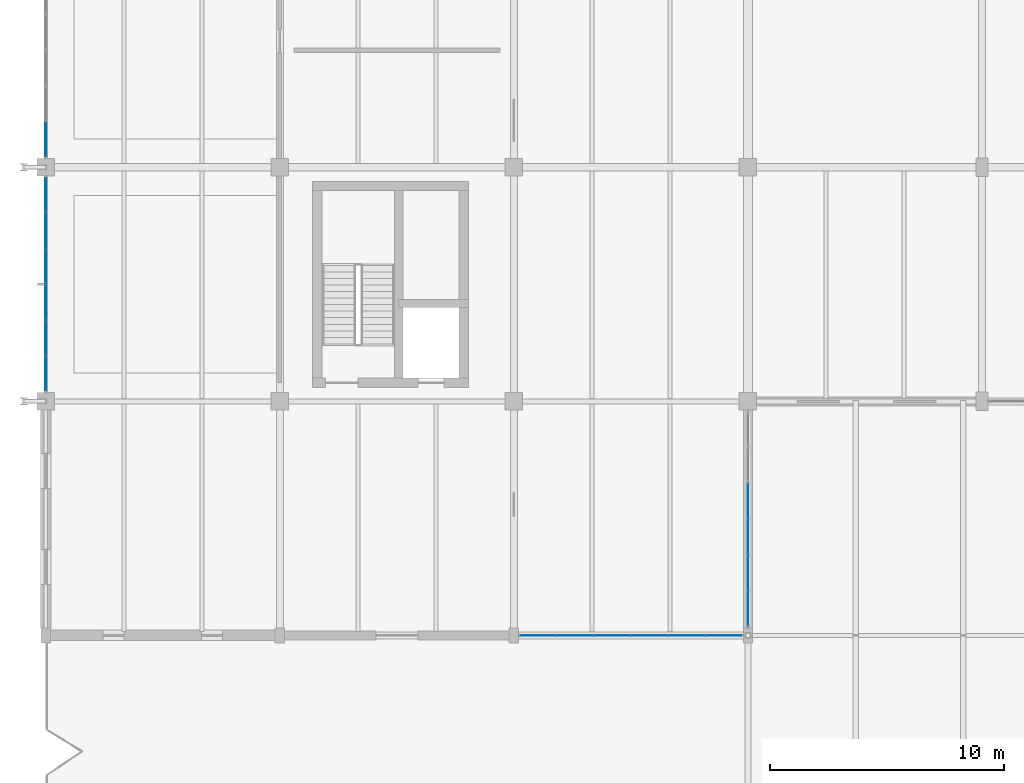
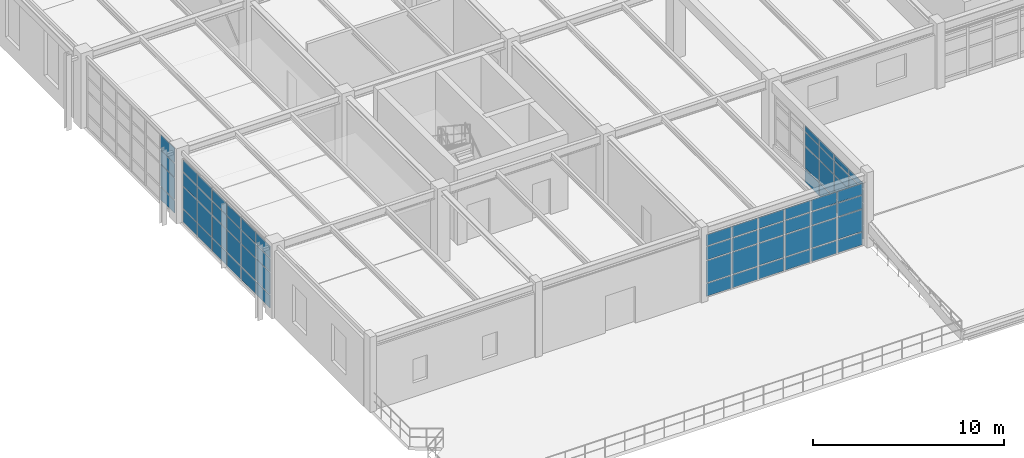
# One storey, part 82 of 139: 68 plates, 4 elements without a shape of their own.
"""IFC4 building model written with IfcOpenShell, lengths in metres."""

from ifc_helpers import new_model, si_unit, direction, frame, origin, origin_2d, place, context, subcontext, project, spatial, rectangle, extrude, material, layer, layer_set, type_object, element, aggregate, save


model = new_model("IFC4")

# Units and contexts
model_context = context("Model", 3, precision=1e-05, world=origin(), true_north=direction((0.0, 1.0)))
body_context = subcontext(model_context, "Body", "Model", "MODEL_VIEW")
ifc_project = project(units=[si_unit("LENGTHUNIT", "METRE"), si_unit("AREAUNIT", "SQUARE_METRE"), si_unit("VOLUMEUNIT", "CUBIC_METRE"), si_unit("PLANEANGLEUNIT", "RADIAN"), si_unit("MASSUNIT", "GRAM", prefix="KILO"), si_unit("THERMODYNAMICTEMPERATUREUNIT", "KELVIN"), si_unit("POWERUNIT", "WATT")], contexts=[model_context])

# Site, building, storey
site_placement = place(None, origin())
site = spatial("IfcSite", under=ifc_project, at=site_placement, CompositionType="ELEMENT")
building_placement = place(site_placement, origin())
building = spatial("IfcBuilding", under=site, at=building_placement, Name="Korenveer Ferry Terminal", CompositionType="ELEMENT")
storey_placement = place(building_placement, frame((0.0, 0.0, 5.39990234375)))
storey = spatial("IfcBuildingStorey", under=building, at=storey_placement, Name="L01", CompositionType="ELEMENT", Elevation=5.39990234375)

# Curtain wall, plates
ifc_material_1 = material(Name="Unitised bronze-and-glass curtain wall", Category="glass")
ifc_layer_1 = layer(ifc_material_1, 0.159912109375)
ifc_layer_set_1 = layer_set([ifc_layer_1], Name="Unitised bronze-and-glass curtain wall")
curtain_wall_type_1 = type_object("IfcCurtainWallType", Name="ENV-CW-37", PredefinedType="USERDEFINED", material=ifc_layer_set_1)
curtain_wall_1_placement = place(storey_placement, frame((20.22998046875, 10.0, 0.0)))
curtain_wall_1 = element("IfcCurtainWall", 1, at=curtain_wall_1_placement, inside=storey, type_object=curtain_wall_type_1, Name="Lancet curtain wall CWX-L01-X20-30-Y10-10", ObjectType="UNITISED CURTAIN WALL", PredefinedType="USERDEFINED")
ifc_material_2 = material(Name="Low-iron solar-control double glazing", Category="glass")
ifc_layer_2 = layer(ifc_material_2, 0.028076171875)
ifc_layer_set_2 = layer_set([ifc_layer_2], Name="Low-iron solar-control double glazing")
plate_type = type_object("IfcPlateType", Name="ENV-CWP-GLZ28", PredefinedType="CURTAIN_PANEL", material=ifc_layer_set_2)
plate_1_placement = place(storey_placement, frame((21.0400390625, 10.0, 0.06005859375), z_axis=(0.0, 0.0, 1.0), x_axis=(1.0, 0.0, 0.0)))
plate_1 = element("IfcPlate", 2, at=plate_1_placement, type_object=plate_type, Name="CW-37 panel 1.1", PredefinedType="CURTAIN_PANEL", context=body_context, shape_type="SweptSolid", body=[
    extrude(rectangle(XDim=1.5, YDim=0.028076171875, at=origin_2d()), origin(), (0.0, 0.0, 1.0), 0.81005859375),
])
plate_2_placement = place(storey_placement, frame((21.0400390625, 10.0, 0.93017578125), z_axis=(0.0, 0.0, 1.0), x_axis=(1.0, 0.0, 0.0)))
plate_2 = element("IfcPlate", 3, at=plate_2_placement, type_object=plate_type, Name="CW-37 panel 1.2", PredefinedType="CURTAIN_PANEL", context=body_context, shape_type="SweptSolid", body=[
    extrude(rectangle(XDim=1.5, YDim=0.028076171875, at=origin_2d()), origin(), (0.0, 0.0, 1.0), 1.389892578125),
])
plate_3_placement = place(storey_placement, frame((21.0400390625, 10.0, 2.3798828125), z_axis=(0.0, 0.0, 1.0), x_axis=(1.0, 0.0, 0.0)))
plate_3 = element("IfcPlate", 4, at=plate_3_placement, type_object=plate_type, Name="CW-37 panel 1.3", PredefinedType="CURTAIN_PANEL", context=body_context, shape_type="SweptSolid", body=[
    extrude(rectangle(XDim=1.5, YDim=0.028076171875, at=origin_2d()), origin(), (0.0, 0.0, 1.0), 0.840087890625),
])
plate_4_placement = place(storey_placement, frame((21.0400390625, 10.0, 3.280029296875), z_axis=(0.0, 0.0, 1.0), x_axis=(1.0, 0.0, 0.0)))
plate_4 = element("IfcPlate", 5, at=plate_4_placement, type_object=plate_type, Name="CW-37 panel 1.4", PredefinedType="CURTAIN_PANEL", context=body_context, shape_type="SweptSolid", body=[
    extrude(rectangle(XDim=1.5, YDim=0.028076171875, at=origin_2d()), origin(), (0.0, 0.0, 1.0), 0.7099609375),
])
plate_5_placement = place(storey_placement, frame((22.614990234375, 10.0, 0.06005859375), z_axis=(0.0, 0.0, 1.0), x_axis=(1.0, 0.0, 0.0)))
plate_5 = element("IfcPlate", 6, at=plate_5_placement, type_object=plate_type, Name="CW-37 panel 2.1", PredefinedType="CURTAIN_PANEL", context=body_context, shape_type="SweptSolid", body=[
    extrude(rectangle(XDim=1.530029296875, YDim=0.028076171875, at=origin_2d()), origin(), (0.0, 0.0, 1.0), 0.81005859375),
])
plate_6_placement = place(storey_placement, frame((22.614990234375, 10.0, 0.93017578125), z_axis=(0.0, 0.0, 1.0), x_axis=(1.0, 0.0, 0.0)))
plate_6 = element("IfcPlate", 7, at=plate_6_placement, type_object=plate_type, Name="CW-37 panel 2.2", PredefinedType="CURTAIN_PANEL", context=body_context, shape_type="SweptSolid", body=[
    extrude(rectangle(XDim=1.530029296875, YDim=0.028076171875, at=origin_2d()), origin(), (0.0, 0.0, 1.0), 1.389892578125),
])
plate_7_placement = place(storey_placement, frame((22.614990234375, 10.0, 2.3798828125), z_axis=(0.0, 0.0, 1.0), x_axis=(1.0, 0.0, 0.0)))
plate_7 = element("IfcPlate", 8, at=plate_7_placement, type_object=plate_type, Name="CW-37 panel 2.3", PredefinedType="CURTAIN_PANEL", context=body_context, shape_type="SweptSolid", body=[
    extrude(rectangle(XDim=1.530029296875, YDim=0.028076171875, at=origin_2d()), origin(), (0.0, 0.0, 1.0), 0.840087890625),
])
plate_8_placement = place(storey_placement, frame((22.614990234375, 10.0, 3.280029296875), z_axis=(0.0, 0.0, 1.0), x_axis=(1.0, 0.0, 0.0)))
plate_8 = element("IfcPlate", 9, at=plate_8_placement, type_object=plate_type, Name="CW-37 panel 2.4", PredefinedType="CURTAIN_PANEL", context=body_context, shape_type="SweptSolid", body=[
    extrude(rectangle(XDim=1.530029296875, YDim=0.028076171875, at=origin_2d()), origin(), (0.0, 0.0, 1.0), 0.7099609375),
])
plate_9_placement = place(storey_placement, frame((24.205078125, 10.0, 0.06005859375), z_axis=(0.0, 0.0, 1.0), x_axis=(1.0, 0.0, 0.0)))
plate_9 = element("IfcPlate", 10, at=plate_9_placement, type_object=plate_type, Name="CW-37 panel 3.1", PredefinedType="CURTAIN_PANEL", context=body_context, shape_type="SweptSolid", body=[
    extrude(rectangle(XDim=1.530029296875, YDim=0.028076171875, at=origin_2d()), origin(), (0.0, 0.0, 1.0), 0.81005859375),
])
plate_10_placement = place(storey_placement, frame((24.205078125, 10.0, 0.93017578125), z_axis=(0.0, 0.0, 1.0), x_axis=(1.0, 0.0, 0.0)))
plate_10 = element("IfcPlate", 11, at=plate_10_placement, type_object=plate_type, Name="CW-37 panel 3.2", PredefinedType="CURTAIN_PANEL", context=body_context, shape_type="SweptSolid", body=[
    extrude(rectangle(XDim=1.530029296875, YDim=0.028076171875, at=origin_2d()), origin(), (0.0, 0.0, 1.0), 1.389892578125),
])
plate_11_placement = place(storey_placement, frame((24.205078125, 10.0, 2.3798828125), z_axis=(0.0, 0.0, 1.0), x_axis=(1.0, 0.0, 0.0)))
plate_11 = element("IfcPlate", 12, at=plate_11_placement, type_object=plate_type, Name="CW-37 panel 3.3", PredefinedType="CURTAIN_PANEL", context=body_context, shape_type="SweptSolid", body=[
    extrude(rectangle(XDim=1.530029296875, YDim=0.028076171875, at=origin_2d()), origin(), (0.0, 0.0, 1.0), 0.840087890625),
])
plate_12_placement = place(storey_placement, frame((24.205078125, 10.0, 3.280029296875), z_axis=(0.0, 0.0, 1.0), x_axis=(1.0, 0.0, 0.0)))
plate_12 = element("IfcPlate", 13, at=plate_12_placement, type_object=plate_type, Name="CW-37 panel 3.4", PredefinedType="CURTAIN_PANEL", context=body_context, shape_type="SweptSolid", body=[
    extrude(rectangle(XDim=1.530029296875, YDim=0.028076171875, at=origin_2d()), origin(), (0.0, 0.0, 1.0), 0.7099609375),
])
plate_13_placement = place(storey_placement, frame((25.794921875, 10.0, 0.06005859375), z_axis=(0.0, 0.0, 1.0), x_axis=(1.0, 0.0, 0.0)))
plate_13 = element("IfcPlate", 14, at=plate_13_placement, type_object=plate_type, Name="CW-37 panel 4.1", PredefinedType="CURTAIN_PANEL", context=body_context, shape_type="SweptSolid", body=[
    extrude(rectangle(XDim=1.530029296875, YDim=0.028076171875, at=origin_2d()), origin(), (0.0, 0.0, 1.0), 0.81005859375),
])
plate_14_placement = place(storey_placement, frame((25.794921875, 10.0, 0.93017578125), z_axis=(0.0, 0.0, 1.0), x_axis=(1.0, 0.0, 0.0)))
plate_14 = element("IfcPlate", 15, at=plate_14_placement, type_object=plate_type, Name="CW-37 panel 4.2", PredefinedType="CURTAIN_PANEL", context=body_context, shape_type="SweptSolid", body=[
    extrude(rectangle(XDim=1.530029296875, YDim=0.028076171875, at=origin_2d()), origin(), (0.0, 0.0, 1.0), 1.389892578125),
])
plate_15_placement = place(storey_placement, frame((25.794921875, 10.0, 2.3798828125), z_axis=(0.0, 0.0, 1.0), x_axis=(1.0, 0.0, 0.0)))
plate_15 = element("IfcPlate", 16, at=plate_15_placement, type_object=plate_type, Name="CW-37 panel 4.3", PredefinedType="CURTAIN_PANEL", context=body_context, shape_type="SweptSolid", body=[
    extrude(rectangle(XDim=1.530029296875, YDim=0.028076171875, at=origin_2d()), origin(), (0.0, 0.0, 1.0), 0.840087890625),
])
plate_16_placement = place(storey_placement, frame((25.794921875, 10.0, 3.280029296875), z_axis=(0.0, 0.0, 1.0), x_axis=(1.0, 0.0, 0.0)))
plate_16 = element("IfcPlate", 17, at=plate_16_placement, type_object=plate_type, Name="CW-37 panel 4.4", PredefinedType="CURTAIN_PANEL", context=body_context, shape_type="SweptSolid", body=[
    extrude(rectangle(XDim=1.530029296875, YDim=0.028076171875, at=origin_2d()), origin(), (0.0, 0.0, 1.0), 0.7099609375),
])
plate_17_placement = place(storey_placement, frame((27.385009765625, 10.0, 0.06005859375), z_axis=(0.0, 0.0, 1.0), x_axis=(1.0, 0.0, 0.0)))
plate_17 = element("IfcPlate", 18, at=plate_17_placement, type_object=plate_type, Name="CW-37 panel 5.1", PredefinedType="CURTAIN_PANEL", context=body_context, shape_type="SweptSolid", body=[
    extrude(rectangle(XDim=1.530029296875, YDim=0.028076171875, at=origin_2d()), origin(), (0.0, 0.0, 1.0), 0.81005859375),
])
plate_18_placement = place(storey_placement, frame((27.385009765625, 10.0, 0.93017578125), z_axis=(0.0, 0.0, 1.0), x_axis=(1.0, 0.0, 0.0)))
plate_18 = element("IfcPlate", 19, at=plate_18_placement, type_object=plate_type, Name="CW-37 panel 5.2", PredefinedType="CURTAIN_PANEL", context=body_context, shape_type="SweptSolid", body=[
    extrude(rectangle(XDim=1.530029296875, YDim=0.028076171875, at=origin_2d()), origin(), (0.0, 0.0, 1.0), 1.389892578125),
])
plate_19_placement = place(storey_placement, frame((27.385009765625, 10.0, 2.3798828125), z_axis=(0.0, 0.0, 1.0), x_axis=(1.0, 0.0, 0.0)))
plate_19 = element("IfcPlate", 20, at=plate_19_placement, type_object=plate_type, Name="CW-37 panel 5.3", PredefinedType="CURTAIN_PANEL", context=body_context, shape_type="SweptSolid", body=[
    extrude(rectangle(XDim=1.530029296875, YDim=0.028076171875, at=origin_2d()), origin(), (0.0, 0.0, 1.0), 0.840087890625),
])
plate_20_placement = place(storey_placement, frame((27.385009765625, 10.0, 3.280029296875), z_axis=(0.0, 0.0, 1.0), x_axis=(1.0, 0.0, 0.0)))
plate_20 = element("IfcPlate", 21, at=plate_20_placement, type_object=plate_type, Name="CW-37 panel 5.4", PredefinedType="CURTAIN_PANEL", context=body_context, shape_type="SweptSolid", body=[
    extrude(rectangle(XDim=1.530029296875, YDim=0.028076171875, at=origin_2d()), origin(), (0.0, 0.0, 1.0), 0.7099609375),
])
plate_21_placement = place(storey_placement, frame((28.9599609375, 10.0, 0.06005859375), z_axis=(0.0, 0.0, 1.0), x_axis=(1.0, 0.0, 0.0)))
plate_21 = element("IfcPlate", 22, at=plate_21_placement, type_object=plate_type, Name="CW-37 panel 6.1", PredefinedType="CURTAIN_PANEL", context=body_context, shape_type="SweptSolid", body=[
    extrude(rectangle(XDim=1.5, YDim=0.028076171875, at=origin_2d()), origin(), (0.0, 0.0, 1.0), 0.81005859375),
])
plate_22_placement = place(storey_placement, frame((28.9599609375, 10.0, 0.93017578125), z_axis=(0.0, 0.0, 1.0), x_axis=(1.0, 0.0, 0.0)))
plate_22 = element("IfcPlate", 23, at=plate_22_placement, type_object=plate_type, Name="CW-37 panel 6.2", PredefinedType="CURTAIN_PANEL", context=body_context, shape_type="SweptSolid", body=[
    extrude(rectangle(XDim=1.5, YDim=0.028076171875, at=origin_2d()), origin(), (0.0, 0.0, 1.0), 1.389892578125),
])
plate_23_placement = place(storey_placement, frame((28.9599609375, 10.0, 2.3798828125), z_axis=(0.0, 0.0, 1.0), x_axis=(1.0, 0.0, 0.0)))
plate_23 = element("IfcPlate", 24, at=plate_23_placement, type_object=plate_type, Name="CW-37 panel 6.3", PredefinedType="CURTAIN_PANEL", context=body_context, shape_type="SweptSolid", body=[
    extrude(rectangle(XDim=1.5, YDim=0.028076171875, at=origin_2d()), origin(), (0.0, 0.0, 1.0), 0.840087890625),
])
plate_24_placement = place(storey_placement, frame((28.9599609375, 10.0, 3.280029296875), z_axis=(0.0, 0.0, 1.0), x_axis=(1.0, 0.0, 0.0)))
plate_24 = element("IfcPlate", 25, at=plate_24_placement, type_object=plate_type, Name="CW-37 panel 6.4", PredefinedType="CURTAIN_PANEL", context=body_context, shape_type="SweptSolid", body=[
    extrude(rectangle(XDim=1.5, YDim=0.028076171875, at=origin_2d()), origin(), (0.0, 0.0, 1.0), 0.7099609375),
])
aggregate(curtain_wall_1, [plate_1, plate_2, plate_3, plate_4, plate_5, plate_6, plate_7, plate_8, plate_9, plate_10, plate_11, plate_12, plate_13, plate_14, plate_15, plate_16, plate_17, plate_18, plate_19, plate_20, plate_21, plate_22, plate_23, plate_24])

ifc_layer_3 = layer(ifc_material_1, 0.159912109375)
ifc_layer_set_3 = layer_set([ifc_layer_3], Name="Unitised bronze-and-glass curtain wall")
curtain_wall_type_2 = type_object("IfcCurtainWallType", Name="ENV-CW-58", PredefinedType="USERDEFINED", material=ifc_layer_set_3)
curtain_wall_2_placement = place(storey_placement, frame((0.0, 20.405029296875, 0.0)))
curtain_wall_2 = element("IfcCurtainWall", 26, at=curtain_wall_2_placement, inside=storey, type_object=curtain_wall_type_2, Name="Lancet curtain wall CWX-L01-X0-0-Y20-30", ObjectType="UNITISED CURTAIN WALL", PredefinedType="USERDEFINED")
plate_25_placement = place(storey_placement, frame((0.0, 21.185791015625, 0.06005859375), z_axis=(0.0, 0.0, 1.0), x_axis=(0.0, 1.0, 0.0)))
plate_25 = element("IfcPlate", 27, at=plate_25_placement, type_object=plate_type, Name="CW-58 panel 1.1", PredefinedType="CURTAIN_PANEL", context=body_context, shape_type="SweptSolid", body=[
    extrude(rectangle(XDim=1.441650390625, YDim=0.028076171875, at=origin_2d()), origin(), (0.0, 0.0, 1.0), 0.81005859375),
])
plate_26_placement = place(storey_placement, frame((0.0, 21.185791015625, 0.93017578125), z_axis=(0.0, 0.0, 1.0), x_axis=(0.0, 1.0, 0.0)))
plate_26 = element("IfcPlate", 28, at=plate_26_placement, type_object=plate_type, Name="CW-58 panel 1.2", PredefinedType="CURTAIN_PANEL", context=body_context, shape_type="SweptSolid", body=[
    extrude(rectangle(XDim=1.441650390625, YDim=0.028076171875, at=origin_2d()), origin(), (0.0, 0.0, 1.0), 1.389892578125),
])
plate_27_placement = place(storey_placement, frame((0.0, 21.185791015625, 2.3798828125), z_axis=(0.0, 0.0, 1.0), x_axis=(0.0, 1.0, 0.0)))
plate_27 = element("IfcPlate", 29, at=plate_27_placement, type_object=plate_type, Name="CW-58 panel 1.3", PredefinedType="CURTAIN_PANEL", context=body_context, shape_type="SweptSolid", body=[
    extrude(rectangle(XDim=1.441650390625, YDim=0.028076171875, at=origin_2d()), origin(), (0.0, 0.0, 1.0), 0.840087890625),
])
plate_28_placement = place(storey_placement, frame((0.0, 21.185791015625, 3.280029296875), z_axis=(0.0, 0.0, 1.0), x_axis=(0.0, 1.0, 0.0)))
plate_28 = element("IfcPlate", 30, at=plate_28_placement, type_object=plate_type, Name="CW-58 panel 1.4", PredefinedType="CURTAIN_PANEL", context=body_context, shape_type="SweptSolid", body=[
    extrude(rectangle(XDim=1.441650390625, YDim=0.028076171875, at=origin_2d()), origin(), (0.0, 0.0, 1.0), 0.72998046875),
])
plate_29_placement = place(storey_placement, frame((0.0, 22.702392578125, 0.06005859375), z_axis=(0.0, 0.0, 1.0), x_axis=(0.0, 1.0, 0.0)))
plate_29 = element("IfcPlate", 31, at=plate_29_placement, type_object=plate_type, Name="CW-58 panel 2.1", PredefinedType="CURTAIN_PANEL", context=body_context, shape_type="SweptSolid", body=[
    extrude(rectangle(XDim=1.4716796875, YDim=0.028076171875, at=origin_2d()), origin(), (0.0, 0.0, 1.0), 0.81005859375),
])
plate_30_placement = place(storey_placement, frame((0.0, 22.702392578125, 0.93017578125), z_axis=(0.0, 0.0, 1.0), x_axis=(0.0, 1.0, 0.0)))
plate_30 = element("IfcPlate", 32, at=plate_30_placement, type_object=plate_type, Name="CW-58 panel 2.2", PredefinedType="CURTAIN_PANEL", context=body_context, shape_type="SweptSolid", body=[
    extrude(rectangle(XDim=1.4716796875, YDim=0.028076171875, at=origin_2d()), origin(), (0.0, 0.0, 1.0), 1.389892578125),
])
plate_31_placement = place(storey_placement, frame((0.0, 22.702392578125, 2.3798828125), z_axis=(0.0, 0.0, 1.0), x_axis=(0.0, 1.0, 0.0)))
plate_31 = element("IfcPlate", 33, at=plate_31_placement, type_object=plate_type, Name="CW-58 panel 2.3", PredefinedType="CURTAIN_PANEL", context=body_context, shape_type="SweptSolid", body=[
    extrude(rectangle(XDim=1.4716796875, YDim=0.028076171875, at=origin_2d()), origin(), (0.0, 0.0, 1.0), 0.840087890625),
])
plate_32_placement = place(storey_placement, frame((0.0, 22.702392578125, 3.280029296875), z_axis=(0.0, 0.0, 1.0), x_axis=(0.0, 1.0, 0.0)))
plate_32 = element("IfcPlate", 34, at=plate_32_placement, type_object=plate_type, Name="CW-58 panel 2.4", PredefinedType="CURTAIN_PANEL", context=body_context, shape_type="SweptSolid", body=[
    extrude(rectangle(XDim=1.4716796875, YDim=0.028076171875, at=origin_2d()), origin(), (0.0, 0.0, 1.0), 0.72998046875),
])
plate_33_placement = place(storey_placement, frame((0.0, 24.234130859375, 0.06005859375), z_axis=(0.0, 0.0, 1.0), x_axis=(0.0, 1.0, 0.0)))
plate_33 = element("IfcPlate", 35, at=plate_33_placement, type_object=plate_type, Name="CW-58 panel 3.1", PredefinedType="CURTAIN_PANEL", context=body_context, shape_type="SweptSolid", body=[
    extrude(rectangle(XDim=1.4716796875, YDim=0.028076171875, at=origin_2d()), origin(), (0.0, 0.0, 1.0), 0.81005859375),
])
plate_34_placement = place(storey_placement, frame((0.0, 24.234130859375, 0.93017578125), z_axis=(0.0, 0.0, 1.0), x_axis=(0.0, 1.0, 0.0)))
plate_34 = element("IfcPlate", 36, at=plate_34_placement, type_object=plate_type, Name="CW-58 panel 3.2", PredefinedType="CURTAIN_PANEL", context=body_context, shape_type="SweptSolid", body=[
    extrude(rectangle(XDim=1.4716796875, YDim=0.028076171875, at=origin_2d()), origin(), (0.0, 0.0, 1.0), 1.389892578125),
])
plate_35_placement = place(storey_placement, frame((0.0, 24.234130859375, 2.3798828125), z_axis=(0.0, 0.0, 1.0), x_axis=(0.0, 1.0, 0.0)))
plate_35 = element("IfcPlate", 37, at=plate_35_placement, type_object=plate_type, Name="CW-58 panel 3.3", PredefinedType="CURTAIN_PANEL", context=body_context, shape_type="SweptSolid", body=[
    extrude(rectangle(XDim=1.4716796875, YDim=0.028076171875, at=origin_2d()), origin(), (0.0, 0.0, 1.0), 0.840087890625),
])
plate_36_placement = place(storey_placement, frame((0.0, 24.234130859375, 3.280029296875), z_axis=(0.0, 0.0, 1.0), x_axis=(0.0, 1.0, 0.0)))
plate_36 = element("IfcPlate", 38, at=plate_36_placement, type_object=plate_type, Name="CW-58 panel 3.4", PredefinedType="CURTAIN_PANEL", context=body_context, shape_type="SweptSolid", body=[
    extrude(rectangle(XDim=1.4716796875, YDim=0.028076171875, at=origin_2d()), origin(), (0.0, 0.0, 1.0), 0.72998046875),
])
plate_37_placement = place(storey_placement, frame((0.0, 25.765869140625, 0.06005859375), z_axis=(0.0, 0.0, 1.0), x_axis=(0.0, 1.0, 0.0)))
plate_37 = element("IfcPlate", 39, at=plate_37_placement, type_object=plate_type, Name="CW-58 panel 4.1", PredefinedType="CURTAIN_PANEL", context=body_context, shape_type="SweptSolid", body=[
    extrude(rectangle(XDim=1.4716796875, YDim=0.028076171875, at=origin_2d()), origin(), (0.0, 0.0, 1.0), 0.81005859375),
])
plate_38_placement = place(storey_placement, frame((0.0, 25.765869140625, 0.93017578125), z_axis=(0.0, 0.0, 1.0), x_axis=(0.0, 1.0, 0.0)))
plate_38 = element("IfcPlate", 40, at=plate_38_placement, type_object=plate_type, Name="CW-58 panel 4.2", PredefinedType="CURTAIN_PANEL", context=body_context, shape_type="SweptSolid", body=[
    extrude(rectangle(XDim=1.4716796875, YDim=0.028076171875, at=origin_2d()), origin(), (0.0, 0.0, 1.0), 1.389892578125),
])
plate_39_placement = place(storey_placement, frame((0.0, 25.765869140625, 2.3798828125), z_axis=(0.0, 0.0, 1.0), x_axis=(0.0, 1.0, 0.0)))
plate_39 = element("IfcPlate", 41, at=plate_39_placement, type_object=plate_type, Name="CW-58 panel 4.3", PredefinedType="CURTAIN_PANEL", context=body_context, shape_type="SweptSolid", body=[
    extrude(rectangle(XDim=1.4716796875, YDim=0.028076171875, at=origin_2d()), origin(), (0.0, 0.0, 1.0), 0.840087890625),
])
plate_40_placement = place(storey_placement, frame((0.0, 25.765869140625, 3.280029296875), z_axis=(0.0, 0.0, 1.0), x_axis=(0.0, 1.0, 0.0)))
plate_40 = element("IfcPlate", 42, at=plate_40_placement, type_object=plate_type, Name="CW-58 panel 4.4", PredefinedType="CURTAIN_PANEL", context=body_context, shape_type="SweptSolid", body=[
    extrude(rectangle(XDim=1.4716796875, YDim=0.028076171875, at=origin_2d()), origin(), (0.0, 0.0, 1.0), 0.72998046875),
])
plate_41_placement = place(storey_placement, frame((0.0, 27.297607421875, 0.06005859375), z_axis=(0.0, 0.0, 1.0), x_axis=(0.0, 1.0, 0.0)))
plate_41 = element("IfcPlate", 43, at=plate_41_placement, type_object=plate_type, Name="CW-58 panel 5.1", PredefinedType="CURTAIN_PANEL", context=body_context, shape_type="SweptSolid", body=[
    extrude(rectangle(XDim=1.4716796875, YDim=0.028076171875, at=origin_2d()), origin(), (0.0, 0.0, 1.0), 0.81005859375),
])
plate_42_placement = place(storey_placement, frame((0.0, 27.297607421875, 0.93017578125), z_axis=(0.0, 0.0, 1.0), x_axis=(0.0, 1.0, 0.0)))
plate_42 = element("IfcPlate", 44, at=plate_42_placement, type_object=plate_type, Name="CW-58 panel 5.2", PredefinedType="CURTAIN_PANEL", context=body_context, shape_type="SweptSolid", body=[
    extrude(rectangle(XDim=1.4716796875, YDim=0.028076171875, at=origin_2d()), origin(), (0.0, 0.0, 1.0), 1.389892578125),
])
plate_43_placement = place(storey_placement, frame((0.0, 27.297607421875, 2.3798828125), z_axis=(0.0, 0.0, 1.0), x_axis=(0.0, 1.0, 0.0)))
plate_43 = element("IfcPlate", 45, at=plate_43_placement, type_object=plate_type, Name="CW-58 panel 5.3", PredefinedType="CURTAIN_PANEL", context=body_context, shape_type="SweptSolid", body=[
    extrude(rectangle(XDim=1.4716796875, YDim=0.028076171875, at=origin_2d()), origin(), (0.0, 0.0, 1.0), 0.840087890625),
])
plate_44_placement = place(storey_placement, frame((0.0, 27.297607421875, 3.280029296875), z_axis=(0.0, 0.0, 1.0), x_axis=(0.0, 1.0, 0.0)))
plate_44 = element("IfcPlate", 46, at=plate_44_placement, type_object=plate_type, Name="CW-58 panel 5.4", PredefinedType="CURTAIN_PANEL", context=body_context, shape_type="SweptSolid", body=[
    extrude(rectangle(XDim=1.4716796875, YDim=0.028076171875, at=origin_2d()), origin(), (0.0, 0.0, 1.0), 0.72998046875),
])
plate_45_placement = place(storey_placement, frame((0.0, 28.814208984375, 0.06005859375), z_axis=(0.0, 0.0, 1.0), x_axis=(0.0, 1.0, 0.0)))
plate_45 = element("IfcPlate", 47, at=plate_45_placement, type_object=plate_type, Name="CW-58 panel 6.1", PredefinedType="CURTAIN_PANEL", context=body_context, shape_type="SweptSolid", body=[
    extrude(rectangle(XDim=1.441650390625, YDim=0.028076171875, at=origin_2d()), origin(), (0.0, 0.0, 1.0), 0.81005859375),
])
plate_46_placement = place(storey_placement, frame((0.0, 28.814208984375, 0.93017578125), z_axis=(0.0, 0.0, 1.0), x_axis=(0.0, 1.0, 0.0)))
plate_46 = element("IfcPlate", 48, at=plate_46_placement, type_object=plate_type, Name="CW-58 panel 6.2", PredefinedType="CURTAIN_PANEL", context=body_context, shape_type="SweptSolid", body=[
    extrude(rectangle(XDim=1.441650390625, YDim=0.028076171875, at=origin_2d()), origin(), (0.0, 0.0, 1.0), 1.389892578125),
])
plate_47_placement = place(storey_placement, frame((0.0, 28.814208984375, 2.3798828125), z_axis=(0.0, 0.0, 1.0), x_axis=(0.0, 1.0, 0.0)))
plate_47 = element("IfcPlate", 49, at=plate_47_placement, type_object=plate_type, Name="CW-58 panel 6.3", PredefinedType="CURTAIN_PANEL", context=body_context, shape_type="SweptSolid", body=[
    extrude(rectangle(XDim=1.441650390625, YDim=0.028076171875, at=origin_2d()), origin(), (0.0, 0.0, 1.0), 0.840087890625),
])
plate_48_placement = place(storey_placement, frame((0.0, 28.814208984375, 3.280029296875), z_axis=(0.0, 0.0, 1.0), x_axis=(0.0, 1.0, 0.0)))
plate_48 = element("IfcPlate", 50, at=plate_48_placement, type_object=plate_type, Name="CW-58 panel 6.4", PredefinedType="CURTAIN_PANEL", context=body_context, shape_type="SweptSolid", body=[
    extrude(rectangle(XDim=1.441650390625, YDim=0.028076171875, at=origin_2d()), origin(), (0.0, 0.0, 1.0), 0.72998046875),
])
aggregate(curtain_wall_2, [plate_25, plate_26, plate_27, plate_28, plate_29, plate_30, plate_31, plate_32, plate_33, plate_34, plate_35, plate_36, plate_37, plate_38, plate_39, plate_40, plate_41, plate_42, plate_43, plate_44, plate_45, plate_46, plate_47, plate_48])

ifc_layer_4 = layer(ifc_material_1, 0.159912109375)
ifc_layer_set_4 = layer_set([ifc_layer_4], Name="Unitised bronze-and-glass curtain wall")
curtain_wall_type_3 = type_object("IfcCurtainWallType", Name="ENV-CW-59", PredefinedType="USERDEFINED", material=ifc_layer_set_4)
curtain_wall_3_placement = place(storey_placement, frame((0.0, 30.405029296875, 0.0)))
curtain_wall_3 = element("IfcCurtainWall", 51, at=curtain_wall_3_placement, inside=storey, type_object=curtain_wall_type_3, Name="Lancet curtain wall CWX-L01-X0-0-Y30-40", ObjectType="UNITISED CURTAIN WALL", PredefinedType="USERDEFINED")
plate_49_placement = place(storey_placement, frame((0.0, 31.185791015625, 0.06005859375), z_axis=(0.0, 0.0, 1.0), x_axis=(0.0, 1.0, 0.0)))
plate_49 = element("IfcPlate", 52, at=plate_49_placement, type_object=plate_type, Name="CW-59 panel 1.1", PredefinedType="CURTAIN_PANEL", context=body_context, shape_type="SweptSolid", body=[
    extrude(rectangle(XDim=1.441650390625, YDim=0.028076171875, at=origin_2d()), origin(), (0.0, 0.0, 1.0), 0.81005859375),
])
plate_50_placement = place(storey_placement, frame((0.0, 31.185791015625, 0.93017578125), z_axis=(0.0, 0.0, 1.0), x_axis=(0.0, 1.0, 0.0)))
plate_50 = element("IfcPlate", 53, at=plate_50_placement, type_object=plate_type, Name="CW-59 panel 1.2", PredefinedType="CURTAIN_PANEL", context=body_context, shape_type="SweptSolid", body=[
    extrude(rectangle(XDim=1.441650390625, YDim=0.028076171875, at=origin_2d()), origin(), (0.0, 0.0, 1.0), 1.389892578125),
])
plate_51_placement = place(storey_placement, frame((0.0, 31.185791015625, 2.3798828125), z_axis=(0.0, 0.0, 1.0), x_axis=(0.0, 1.0, 0.0)))
plate_51 = element("IfcPlate", 54, at=plate_51_placement, type_object=plate_type, Name="CW-59 panel 1.3", PredefinedType="CURTAIN_PANEL", context=body_context, shape_type="SweptSolid", body=[
    extrude(rectangle(XDim=1.441650390625, YDim=0.028076171875, at=origin_2d()), origin(), (0.0, 0.0, 1.0), 0.840087890625),
])
plate_52_placement = place(storey_placement, frame((0.0, 31.185791015625, 3.2802734375), z_axis=(0.0, 0.0, 1.0), x_axis=(0.0, 1.0, 0.0)))
plate_52 = element("IfcPlate", 55, at=plate_52_placement, type_object=plate_type, Name="CW-59 panel 1.4", PredefinedType="CURTAIN_PANEL", context=body_context, shape_type="SweptSolid", body=[
    extrude(rectangle(XDim=1.441650390625, YDim=0.028076171875, at=origin_2d()), origin(), (0.0, 0.0, 1.0), 0.929931640625),
])
aggregate(curtain_wall_3, [plate_49, plate_50, plate_51, plate_52])

ifc_layer_5 = layer(ifc_material_1, 0.159912109375)
ifc_layer_set_5 = layer_set([ifc_layer_5], Name="Unitised bronze-and-glass curtain wall")
curtain_wall_type_4 = type_object("IfcCurtainWallType", Name="ENV-CW-62", PredefinedType="USERDEFINED", material=ifc_layer_set_5)
curtain_wall_4_placement = place(storey_placement, frame((30.0, 19.594970703125, 0.0)))
curtain_wall_4 = element("IfcCurtainWall", 56, at=curtain_wall_4_placement, inside=storey, type_object=curtain_wall_type_4, Name="Lancet curtain wall CWX-L01-X30-30-Y10-20", ObjectType="UNITISED CURTAIN WALL", PredefinedType="USERDEFINED")
plate_53_placement = place(storey_placement, frame((30.0, 15.7451171875, 0.06005859375), z_axis=(0.0, 0.0, 1.0), x_axis=(0.0, -1.0, 0.0)))
plate_53 = element("IfcPlate", 57, at=plate_53_placement, type_object=plate_type, Name="CW-62 panel 3.1", PredefinedType="CURTAIN_PANEL", context=body_context, shape_type="SweptSolid", body=[
    extrude(rectangle(XDim=1.47998046875, YDim=0.028076171875, at=origin_2d()), origin(), (0.0, 0.0, 1.0), 0.81005859375),
])
plate_54_placement = place(storey_placement, frame((30.0, 15.7451171875, 0.93017578125), z_axis=(0.0, 0.0, 1.0), x_axis=(0.0, -1.0, 0.0)))
plate_54 = element("IfcPlate", 58, at=plate_54_placement, type_object=plate_type, Name="CW-62 panel 3.2", PredefinedType="CURTAIN_PANEL", context=body_context, shape_type="SweptSolid", body=[
    extrude(rectangle(XDim=1.47998046875, YDim=0.028076171875, at=origin_2d()), origin(), (0.0, 0.0, 1.0), 1.389892578125),
])
plate_55_placement = place(storey_placement, frame((30.0, 15.7451171875, 2.3798828125), z_axis=(0.0, 0.0, 1.0), x_axis=(0.0, -1.0, 0.0)))
plate_55 = element("IfcPlate", 59, at=plate_55_placement, type_object=plate_type, Name="CW-62 panel 3.3", PredefinedType="CURTAIN_PANEL", context=body_context, shape_type="SweptSolid", body=[
    extrude(rectangle(XDim=1.47998046875, YDim=0.028076171875, at=origin_2d()), origin(), (0.0, 0.0, 1.0), 0.840087890625),
])
plate_56_placement = place(storey_placement, frame((30.0, 15.7451171875, 3.2802734375), z_axis=(0.0, 0.0, 1.0), x_axis=(0.0, -1.0, 0.0)))
plate_56 = element("IfcPlate", 60, at=plate_56_placement, type_object=plate_type, Name="CW-62 panel 3.4", PredefinedType="CURTAIN_PANEL", context=body_context, shape_type="SweptSolid", body=[
    extrude(rectangle(XDim=1.47998046875, YDim=0.028076171875, at=origin_2d()), origin(), (0.0, 0.0, 1.0), 0.360107421875),
])
plate_57_placement = place(storey_placement, frame((30.0, 14.205078125, 0.06005859375), z_axis=(0.0, 0.0, 1.0), x_axis=(0.0, -1.0, 0.0)))
plate_57 = element("IfcPlate", 61, at=plate_57_placement, type_object=plate_type, Name="CW-62 panel 4.1", PredefinedType="CURTAIN_PANEL", context=body_context, shape_type="SweptSolid", body=[
    extrude(rectangle(XDim=1.47998046875, YDim=0.028076171875, at=origin_2d()), origin(), (0.0, 0.0, 1.0), 0.81005859375),
])
plate_58_placement = place(storey_placement, frame((30.0, 14.205078125, 0.93017578125), z_axis=(0.0, 0.0, 1.0), x_axis=(0.0, -1.0, 0.0)))
plate_58 = element("IfcPlate", 62, at=plate_58_placement, type_object=plate_type, Name="CW-62 panel 4.2", PredefinedType="CURTAIN_PANEL", context=body_context, shape_type="SweptSolid", body=[
    extrude(rectangle(XDim=1.47998046875, YDim=0.028076171875, at=origin_2d()), origin(), (0.0, 0.0, 1.0), 1.389892578125),
])
plate_59_placement = place(storey_placement, frame((30.0, 14.205078125, 2.3798828125), z_axis=(0.0, 0.0, 1.0), x_axis=(0.0, -1.0, 0.0)))
plate_59 = element("IfcPlate", 63, at=plate_59_placement, type_object=plate_type, Name="CW-62 panel 4.3", PredefinedType="CURTAIN_PANEL", context=body_context, shape_type="SweptSolid", body=[
    extrude(rectangle(XDim=1.47998046875, YDim=0.028076171875, at=origin_2d()), origin(), (0.0, 0.0, 1.0), 0.840087890625),
])
plate_60_placement = place(storey_placement, frame((30.0, 14.205078125, 3.2802734375), z_axis=(0.0, 0.0, 1.0), x_axis=(0.0, -1.0, 0.0)))
plate_60 = element("IfcPlate", 64, at=plate_60_placement, type_object=plate_type, Name="CW-62 panel 4.4", PredefinedType="CURTAIN_PANEL", context=body_context, shape_type="SweptSolid", body=[
    extrude(rectangle(XDim=1.47998046875, YDim=0.028076171875, at=origin_2d()), origin(), (0.0, 0.0, 1.0), 0.360107421875),
])
plate_61_placement = place(storey_placement, frame((30.0, 12.6650390625, 0.06005859375), z_axis=(0.0, 0.0, 1.0), x_axis=(0.0, -1.0, 0.0)))
plate_61 = element("IfcPlate", 65, at=plate_61_placement, type_object=plate_type, Name="CW-62 panel 5.1", PredefinedType="CURTAIN_PANEL", context=body_context, shape_type="SweptSolid", body=[
    extrude(rectangle(XDim=1.47998046875, YDim=0.028076171875, at=origin_2d()), origin(), (0.0, 0.0, 1.0), 0.81005859375),
])
plate_62_placement = place(storey_placement, frame((30.0, 12.6650390625, 0.93017578125), z_axis=(0.0, 0.0, 1.0), x_axis=(0.0, -1.0, 0.0)))
plate_62 = element("IfcPlate", 66, at=plate_62_placement, type_object=plate_type, Name="CW-62 panel 5.2", PredefinedType="CURTAIN_PANEL", context=body_context, shape_type="SweptSolid", body=[
    extrude(rectangle(XDim=1.47998046875, YDim=0.028076171875, at=origin_2d()), origin(), (0.0, 0.0, 1.0), 1.389892578125),
])
plate_63_placement = place(storey_placement, frame((30.0, 12.6650390625, 2.3798828125), z_axis=(0.0, 0.0, 1.0), x_axis=(0.0, -1.0, 0.0)))
plate_63 = element("IfcPlate", 67, at=plate_63_placement, type_object=plate_type, Name="CW-62 panel 5.3", PredefinedType="CURTAIN_PANEL", context=body_context, shape_type="SweptSolid", body=[
    extrude(rectangle(XDim=1.47998046875, YDim=0.028076171875, at=origin_2d()), origin(), (0.0, 0.0, 1.0), 0.840087890625),
])
plate_64_placement = place(storey_placement, frame((30.0, 12.6650390625, 3.2802734375), z_axis=(0.0, 0.0, 1.0), x_axis=(0.0, -1.0, 0.0)))
plate_64 = element("IfcPlate", 68, at=plate_64_placement, type_object=plate_type, Name="CW-62 panel 5.4", PredefinedType="CURTAIN_PANEL", context=body_context, shape_type="SweptSolid", body=[
    extrude(rectangle(XDim=1.47998046875, YDim=0.028076171875, at=origin_2d()), origin(), (0.0, 0.0, 1.0), 0.360107421875),
])
plate_65_placement = place(storey_placement, frame((30.0, 11.139892578125, 0.06005859375), z_axis=(0.0, 0.0, 1.0), x_axis=(0.0, -1.0, 0.0)))
plate_65 = element("IfcPlate", 69, at=plate_65_placement, type_object=plate_type, Name="CW-62 panel 6.1", PredefinedType="CURTAIN_PANEL", context=body_context, shape_type="SweptSolid", body=[
    extrude(rectangle(XDim=1.449951171875, YDim=0.028076171875, at=origin_2d()), origin(), (0.0, 0.0, 1.0), 0.81005859375),
])
plate_66_placement = place(storey_placement, frame((30.0, 11.139892578125, 0.93017578125), z_axis=(0.0, 0.0, 1.0), x_axis=(0.0, -1.0, 0.0)))
plate_66 = element("IfcPlate", 70, at=plate_66_placement, type_object=plate_type, Name="CW-62 panel 6.2", PredefinedType="CURTAIN_PANEL", context=body_context, shape_type="SweptSolid", body=[
    extrude(rectangle(XDim=1.449951171875, YDim=0.028076171875, at=origin_2d()), origin(), (0.0, 0.0, 1.0), 1.389892578125),
])
plate_67_placement = place(storey_placement, frame((30.0, 11.139892578125, 2.3798828125), z_axis=(0.0, 0.0, 1.0), x_axis=(0.0, -1.0, 0.0)))
plate_67 = element("IfcPlate", 71, at=plate_67_placement, type_object=plate_type, Name="CW-62 panel 6.3", PredefinedType="CURTAIN_PANEL", context=body_context, shape_type="SweptSolid", body=[
    extrude(rectangle(XDim=1.449951171875, YDim=0.028076171875, at=origin_2d()), origin(), (0.0, 0.0, 1.0), 0.840087890625),
])
plate_68_placement = place(storey_placement, frame((30.0, 11.139892578125, 3.2802734375), z_axis=(0.0, 0.0, 1.0), x_axis=(0.0, -1.0, 0.0)))
plate_68 = element("IfcPlate", 72, at=plate_68_placement, type_object=plate_type, Name="CW-62 panel 6.4", PredefinedType="CURTAIN_PANEL", context=body_context, shape_type="SweptSolid", body=[
    extrude(rectangle(XDim=1.449951171875, YDim=0.028076171875, at=origin_2d()), origin(), (0.0, 0.0, 1.0), 0.360107421875),
])
aggregate(curtain_wall_4, [plate_53, plate_54, plate_55, plate_56, plate_57, plate_58, plate_59, plate_60, plate_61, plate_62, plate_63, plate_64, plate_65, plate_66, plate_67, plate_68])

save(model, "model.ifc")
